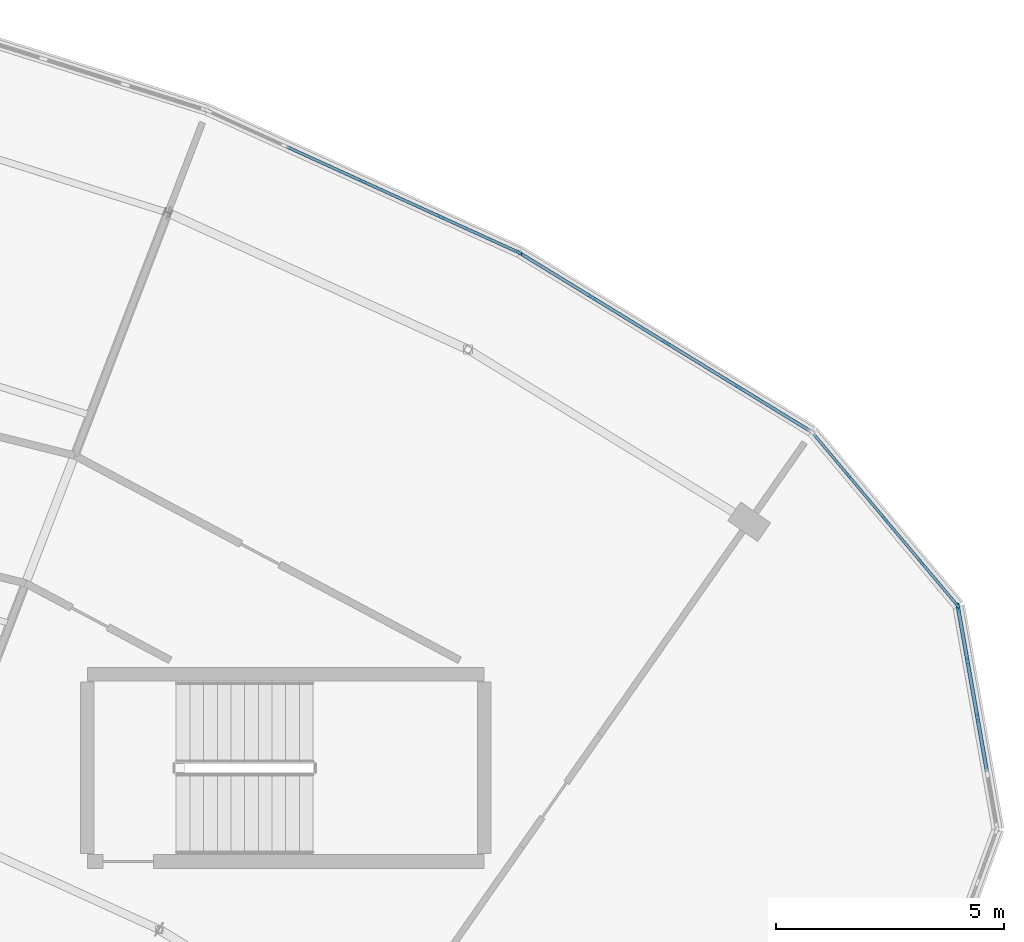
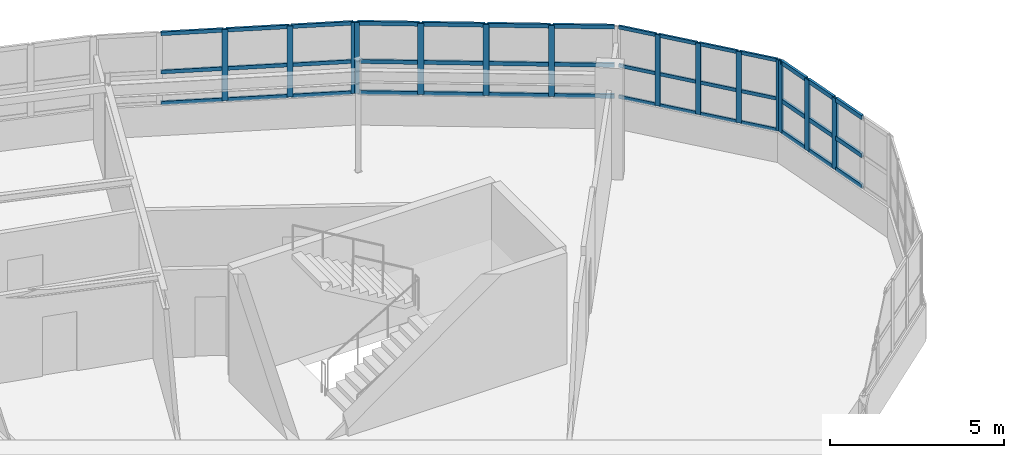
# One storey, part 35 of 60: 56 members, 4 elements without a shape of their own.
"""IFC4 building model written with IfcOpenShell, lengths in metres."""

from ifc_helpers import new_model, si_unit, direction, frame, origin, origin_2d, place, context, subcontext, project, spatial, rectangle, extrude, material, layer, layer_set, material_profile, profile_set, type_object, element, aggregate, save


model = new_model("IFC4")

# Units and contexts
model_context = context("Model", 3, precision=1e-05, world=origin(), true_north=direction((0.0, 1.0)))
body_context = subcontext(model_context, "Body", "Model", "MODEL_VIEW")
ifc_project = project(units=[si_unit("LENGTHUNIT", "METRE"), si_unit("AREAUNIT", "SQUARE_METRE"), si_unit("VOLUMEUNIT", "CUBIC_METRE"), si_unit("PLANEANGLEUNIT", "RADIAN"), si_unit("MASSUNIT", "GRAM", prefix="KILO")], contexts=[model_context])

# Site, building, storey
site_placement = place(None, origin())
site = spatial("IfcSite", under=ifc_project, at=site_placement, CompositionType="ELEMENT")
building_placement = place(site_placement, origin())
building = spatial("IfcBuilding", under=site, at=building_placement, Name="Tarnwether General Hospital", CompositionType="ELEMENT")
storey_placement = place(building_placement, frame((0.0, 0.0, 26.10009765625)))
storey = spatial("IfcBuildingStorey", under=building, at=storey_placement, Name="L06", CompositionType="ELEMENT", Elevation=26.10009765625)

# Curtain wall, members
ifc_material_1 = material(Name="Anodised aluminium", Category="aluminium")
ifc_layer_1 = layer(ifc_material_1, 0.159912109375)
ifc_layer_set_1 = layer_set([ifc_layer_1], Name="Anodised aluminium")
curtain_wall_type_1 = type_object("IfcCurtainWallType", Name="CW-04", PredefinedType="NOTDEFINED", material=ifc_layer_set_1)
curtain_wall_1_placement = place(storey_placement, origin())
curtain_wall_1 = element("IfcCurtainWall", 1, at=curtain_wall_1_placement, inside=storey, type_object=curtain_wall_type_1, Name="Curtain Wall CWG-L06-1273_1135-0117", PredefinedType="NOTDEFINED")
ifc_material_2 = material(Name="Anodised aluminium", Category="aluminium")
ifc_material_profile_1 = material_profile(ifc_material_2, rectangle(XDim=0.06005859375, YDim=0.159912109375, at=origin_2d()), Name="ALU-MUL-60x160")
ifc_profile_set_1 = profile_set([ifc_material_profile_1], Name="Anodised aluminium")
member_type_1 = type_object("IfcMemberType", Name="CW-ML1", PredefinedType="MULLION", material=ifc_profile_set_1)
member_1_placement = place(storey_placement, frame((128.130859375, 112.50830078125, 1.0498046875), z_axis=(0.0, 0.0, 1.0), x_axis=(0.765990176896, 0.64285227611, 0.0)))
member_1 = element("IfcMember", 2, at=member_1_placement, type_object=member_type_1, Name="CW-04 mullion 2", PredefinedType="MULLION", context=body_context, shape_type="SweptSolid", body=[
    extrude(rectangle(XDim=0.06005859375, YDim=0.159912109375, at=origin_2d()), origin(), (0.0, 0.0, 1.0), 2.4951171875),
])
member_2_placement = place(storey_placement, frame((128.929443359375, 111.556396484375, 1.0498046875), z_axis=(0.0, 0.0, 1.0), x_axis=(0.765990176896, 0.64285227611, 0.0)))
member_2 = element("IfcMember", 3, at=member_2_placement, type_object=member_type_1, Name="CW-04 mullion 3", PredefinedType="MULLION", context=body_context, shape_type="SweptSolid", body=[
    extrude(rectangle(XDim=0.06005859375, YDim=0.159912109375, at=origin_2d()), origin(), (0.0, 0.0, 1.0), 2.4951171875),
])
member_3_placement = place(storey_placement, frame((129.728271484375, 110.604736328125, 1.0498046875), z_axis=(0.0, 0.0, 1.0), x_axis=(0.765990176896, 0.64285227611, 0.0)))
member_3 = element("IfcMember", 4, at=member_3_placement, type_object=member_type_1, Name="CW-04 mullion 4", PredefinedType="MULLION", context=body_context, shape_type="SweptSolid", body=[
    extrude(rectangle(XDim=0.06005859375, YDim=0.159912109375, at=origin_2d()), origin(), (0.0, 0.0, 1.0), 2.4951171875),
])
member_4_placement = place(storey_placement, frame((130.5078125, 109.676025390625, 1.0498046875), z_axis=(0.0, 0.0, 1.0), x_axis=(0.765990176896, 0.64285227611, 0.0)))
member_4 = element("IfcMember", 5, at=member_4_placement, type_object=member_type_1, Name="CW-04 mullion 5", PredefinedType="MULLION", context=body_context, shape_type="SweptSolid", body=[
    extrude(rectangle(XDim=0.06005859375, YDim=0.159912109375, at=origin_2d()), origin(), (0.0, 0.0, 1.0), 2.4951171875),
])

ifc_material_3 = material(Name="Anodised aluminium", Category="aluminium")
ifc_layer_2 = layer(ifc_material_3, 0.179931640625)
ifc_layer_set_2 = layer_set([ifc_layer_2], Name="Anodised aluminium")
curtain_wall_type_2 = type_object("IfcCurtainWallType", Name="CW-06", PredefinedType="NOTDEFINED", material=ifc_layer_set_2)
curtain_wall_2_placement = place(storey_placement, origin())
curtain_wall_2 = element("IfcCurtainWall", 6, at=curtain_wall_2_placement, inside=storey, type_object=curtain_wall_type_2, Name="Curtain Wall CWG-L06-1209_1174-0118", PredefinedType="NOTDEFINED")
ifc_material_4 = material(Name="Anodised aluminium", Category="aluminium")
ifc_material_profile_2 = material_profile(ifc_material_4, rectangle(XDim=0.070068359375, YDim=0.179931640625, at=origin_2d()), Name="ALU-MUL-70x180")
ifc_profile_set_2 = profile_set([ifc_material_profile_2], Name="Anodised aluminium")
member_type_2 = type_object("IfcMemberType", Name="CW-ML2", PredefinedType="MULLION", material=ifc_profile_set_2)
member_5_placement = place(storey_placement, frame((120.94873046875, 117.371826171875, 1.0498046875), z_axis=(0.0, 0.0, 1.0), x_axis=(0.522509056361, 0.852633734977, 0.0)))
member_5 = element("IfcMember", 7, at=member_5_placement, type_object=member_type_2, Name="CW-06 mullion 1", PredefinedType="MULLION", context=body_context, shape_type="SweptSolid", body=[
    extrude(rectangle(XDim=0.070068359375, YDim=0.179931640625, at=origin_2d()), origin(), (0.0, 0.0, 1.0), 2.4951171875),
])
member_6_placement = place(storey_placement, frame((122.522216796875, 116.407470703125, 1.0498046875), z_axis=(0.0, 0.0, 1.0), x_axis=(0.522509056361, 0.852633734977, 0.0)))
member_6 = element("IfcMember", 8, at=member_6_placement, type_object=member_type_2, Name="CW-06 mullion 2", PredefinedType="MULLION", context=body_context, shape_type="SweptSolid", body=[
    extrude(rectangle(XDim=0.070068359375, YDim=0.179931640625, at=origin_2d()), origin(), (0.0, 0.0, 1.0), 2.4951171875),
])
member_7_placement = place(storey_placement, frame((124.12548828125, 115.425048828125, 1.0498046875), z_axis=(0.0, 0.0, 1.0), x_axis=(0.522509056361, 0.852633734977, 0.0)))
member_7 = element("IfcMember", 9, at=member_7_placement, type_object=member_type_2, Name="CW-06 mullion 3", PredefinedType="MULLION", context=body_context, shape_type="SweptSolid", body=[
    extrude(rectangle(XDim=0.070068359375, YDim=0.179931640625, at=origin_2d()), origin(), (0.0, 0.0, 1.0), 2.4951171875),
])
member_8_placement = place(storey_placement, frame((125.728759765625, 114.4423828125, 1.0498046875), z_axis=(0.0, 0.0, 1.0), x_axis=(0.522509056361, 0.852633734977, 0.0)))
member_8 = element("IfcMember", 10, at=member_8_placement, type_object=member_type_2, Name="CW-06 mullion 4", PredefinedType="MULLION", context=body_context, shape_type="SweptSolid", body=[
    extrude(rectangle(XDim=0.070068359375, YDim=0.179931640625, at=origin_2d()), origin(), (0.0, 0.0, 1.0), 2.4951171875),
])

curtain_wall_3_placement = place(storey_placement, origin())
curtain_wall_3 = element("IfcCurtainWall", 11, at=curtain_wall_3_placement, inside=storey, type_object=curtain_wall_type_2, Name="Curtain Wall CWG-L06-1141_1205-0119", PredefinedType="NOTDEFINED")
ifc_material_5 = material(Name="Anodised aluminium", Category="aluminium")
ifc_material_profile_3 = material_profile(ifc_material_5, rectangle(XDim=0.06494140625, YDim=0.169921875, at=origin_2d()), Name="ALU-MUL-65x170")
ifc_profile_set_3 = profile_set([ifc_material_profile_3], Name="Anodised aluminium")
member_type_3 = type_object("IfcMemberType", Name="CW-ML3", PredefinedType="MULLION", material=ifc_profile_set_3)
member_9_placement = place(storey_placement, frame((117.4970703125, 118.949462890625, 1.0498046875), z_axis=(0.0, 0.0, 1.0), x_axis=(0.414694289316, 0.909960793886, 0.0)))
member_9 = element("IfcMember", 12, at=member_9_placement, type_object=member_type_3, Name="CW-06 mullion 3", PredefinedType="MULLION", context=body_context, shape_type="SweptSolid", body=[
    extrude(rectangle(XDim=0.06494140625, YDim=0.169921875, at=origin_2d()), origin(), (0.0, 0.0, 1.0), 2.4951171875),
])
member_10_placement = place(storey_placement, frame((119.2080078125, 118.169677734375, 1.0498046875), z_axis=(0.0, 0.0, 1.0), x_axis=(0.414694289316, 0.909960793886, 0.0)))
member_10 = element("IfcMember", 13, at=member_10_placement, type_object=member_type_3, Name="CW-06 mullion 4", PredefinedType="MULLION", context=body_context, shape_type="SweptSolid", body=[
    extrude(rectangle(XDim=0.06494140625, YDim=0.169921875, at=origin_2d()), origin(), (0.0, 0.0, 1.0), 2.4951171875),
])
member_11_placement = place(storey_placement, frame((120.889404296875, 117.403564453125, 1.0498046875), z_axis=(0.0, 0.0, 1.0), x_axis=(0.414694289316, 0.909960793886, 0.0)))
member_11 = element("IfcMember", 14, at=member_11_placement, type_object=member_type_3, Name="CW-06 mullion 5", PredefinedType="MULLION", context=body_context, shape_type="SweptSolid", body=[
    extrude(rectangle(XDim=0.06494140625, YDim=0.169921875, at=origin_2d()), origin(), (0.0, 0.0, 1.0), 2.4951171875),
])

curtain_wall_4_placement = place(storey_placement, origin())
curtain_wall_4 = element("IfcCurtainWall", 15, at=curtain_wall_4_placement, inside=storey, type_object=curtain_wall_type_1, Name="Curtain Wall CWG-L06-1305_1097-0116", PredefinedType="NOTDEFINED")
ifc_material_6 = material(Name="Anodised aluminium", Category="aluminium")
ifc_material_profile_4 = material_profile(ifc_material_6, rectangle(XDim=0.080078125, YDim=0.199951171875, at=origin_2d()), Name="ALU-MUL-80x200")
ifc_profile_set_4 = profile_set([ifc_material_profile_4], Name="Anodised aluminium")
member_type_4 = type_object("IfcMemberType", Name="CW-ML4", PredefinedType="MULLION", material=ifc_profile_set_4)
member_12_placement = place(storey_placement, frame((130.533935546875, 109.613525390625, 1.0498046875), z_axis=(0.0, 0.0, 1.0), x_axis=(0.984840230098, 0.173463890135, 0.0)))
member_12 = element("IfcMember", 16, at=member_12_placement, type_object=member_type_4, Name="CW-04 mullion 1", PredefinedType="MULLION", context=body_context, shape_type="SweptSolid", body=[
    extrude(rectangle(XDim=0.080078125, YDim=0.199951171875, at=origin_2d()), origin(), (0.0, 0.0, 1.0), 2.4951171875),
])
member_13_placement = place(storey_placement, frame((130.742431640625, 108.429443359375, 1.0498046875), z_axis=(0.0, 0.0, 1.0), x_axis=(0.984840230098, 0.173463890135, 0.0)))
member_13 = element("IfcMember", 17, at=member_13_placement, type_object=member_type_4, Name="CW-04 mullion 2", PredefinedType="MULLION", context=body_context, shape_type="SweptSolid", body=[
    extrude(rectangle(XDim=0.080078125, YDim=0.199951171875, at=origin_2d()), origin(), (0.0, 0.0, 1.0), 2.4951171875),
])
member_14_placement = place(storey_placement, frame((130.9580078125, 107.2060546875, 1.0498046875), z_axis=(0.0, 0.0, 1.0), x_axis=(0.984840230098, 0.173463890135, 0.0)))
member_14 = element("IfcMember", 18, at=member_14_placement, type_object=member_type_4, Name="CW-04 mullion 3", PredefinedType="MULLION", context=body_context, shape_type="SweptSolid", body=[
    extrude(rectangle(XDim=0.080078125, YDim=0.199951171875, at=origin_2d()), origin(), (0.0, 0.0, 1.0), 2.4951171875),
])

# Member
ifc_material_7 = material(Name="Anodised aluminium", Category="aluminium")
ifc_material_profile_5 = material_profile(ifc_material_7, rectangle(XDim=0.06005859375, YDim=0.1201171875, at=origin_2d()), Name="ALU-TRN-60x120")
ifc_profile_set_5 = profile_set([ifc_material_profile_5], Name="Anodised aluminium")
member_type_5 = type_object("IfcMemberType", Name="CW-TR1", PredefinedType="USERDEFINED", material=ifc_profile_set_5)
member_15_placement = place(storey_placement, frame((127.37060546875, 113.4140625, 1.079833984375), z_axis=(0.642889003043, -0.765959352555, 0.0), x_axis=(0.765959352555, 0.642889003043, 0.0)))
member_15 = element("IfcMember", 19, at=member_15_placement, type_object=member_type_5, Name="CW-04 transom 1.1", ObjectType="TRANSOM", PredefinedType="USERDEFINED", context=body_context, shape_type="SweptSolid", body=[
    extrude(rectangle(XDim=0.06005859375, YDim=0.1201171875, at=origin_2d()), origin(), (0.0, 0.0, 1.0), 1.152587890625),
])

member_16_placement = place(storey_placement, frame((127.37060546875, 113.4140625, 2.172607421875), z_axis=(0.642889003043, -0.765959352555, 0.0), x_axis=(0.765959352555, 0.642889003043, 0.0)))
member_16 = element("IfcMember", 20, at=member_16_placement, type_object=member_type_5, Name="CW-04 transom 1.2", ObjectType="TRANSOM", PredefinedType="USERDEFINED", context=body_context, shape_type="SweptSolid", body=[
    extrude(rectangle(XDim=0.06005859375, YDim=0.1201171875, at=origin_2d()), origin(), (0.0, 0.0, 1.0), 1.152587890625),
])

member_17_placement = place(storey_placement, frame((127.37060546875, 113.4140625, 3.514892578125), z_axis=(0.642889003043, -0.765959352555, 0.0), x_axis=(0.765959352555, 0.642889003043, 0.0)))
member_17 = element("IfcMember", 21, at=member_17_placement, type_object=member_type_5, Name="CW-04 transom 1.3", ObjectType="TRANSOM", PredefinedType="USERDEFINED", context=body_context, shape_type="SweptSolid", body=[
    extrude(rectangle(XDim=0.06005859375, YDim=0.1201171875, at=origin_2d()), origin(), (0.0, 0.0, 1.0), 1.152587890625),
])

member_18_placement = place(storey_placement, frame((128.150146484375, 112.4853515625, 1.079833984375), z_axis=(0.64278038415, -0.766050506006, 0.0), x_axis=(0.766050506006, 0.64278038415, 0.0)))
member_18 = element("IfcMember", 22, at=member_18_placement, type_object=member_type_5, Name="CW-04 transom 2.1", ObjectType="TRANSOM", PredefinedType="USERDEFINED", context=body_context, shape_type="SweptSolid", body=[
    extrude(rectangle(XDim=0.06005859375, YDim=0.1201171875, at=origin_2d()), origin(), (0.0, 0.0, 1.0), 1.182373046875),
])

member_19_placement = place(storey_placement, frame((128.150146484375, 112.4853515625, 2.172607421875), z_axis=(0.64278038415, -0.766050506006, 0.0), x_axis=(0.766050506006, 0.64278038415, 0.0)))
member_19 = element("IfcMember", 23, at=member_19_placement, type_object=member_type_5, Name="CW-04 transom 2.2", ObjectType="TRANSOM", PredefinedType="USERDEFINED", context=body_context, shape_type="SweptSolid", body=[
    extrude(rectangle(XDim=0.06005859375, YDim=0.1201171875, at=origin_2d()), origin(), (0.0, 0.0, 1.0), 1.182373046875),
])

member_20_placement = place(storey_placement, frame((128.150146484375, 112.4853515625, 3.514892578125), z_axis=(0.64278038415, -0.766050506006, 0.0), x_axis=(0.766050506006, 0.64278038415, 0.0)))
member_20 = element("IfcMember", 24, at=member_20_placement, type_object=member_type_5, Name="CW-04 transom 2.3", ObjectType="TRANSOM", PredefinedType="USERDEFINED", context=body_context, shape_type="SweptSolid", body=[
    extrude(rectangle(XDim=0.06005859375, YDim=0.1201171875, at=origin_2d()), origin(), (0.0, 0.0, 1.0), 1.182373046875),
])

member_21_placement = place(storey_placement, frame((128.94873046875, 111.533447265625, 1.079833984375), z_axis=(0.642901530921, -0.765948837417, 0.0), x_axis=(0.765948837417, 0.642901530921, 0.0)))
member_21 = element("IfcMember", 25, at=member_21_placement, type_object=member_type_5, Name="CW-04 transom 3.1", ObjectType="TRANSOM", PredefinedType="USERDEFINED", context=body_context, shape_type="SweptSolid", body=[
    extrude(rectangle(XDim=0.06005859375, YDim=0.1201171875, at=origin_2d()), origin(), (0.0, 0.0, 1.0), 1.1826171875),
])

member_22_placement = place(storey_placement, frame((128.94873046875, 111.533447265625, 2.172607421875), z_axis=(0.642901530921, -0.765948837417, 0.0), x_axis=(0.765948837417, 0.642901530921, 0.0)))
member_22 = element("IfcMember", 26, at=member_22_placement, type_object=member_type_5, Name="CW-04 transom 3.2", ObjectType="TRANSOM", PredefinedType="USERDEFINED", context=body_context, shape_type="SweptSolid", body=[
    extrude(rectangle(XDim=0.06005859375, YDim=0.1201171875, at=origin_2d()), origin(), (0.0, 0.0, 1.0), 1.1826171875),
])

member_23_placement = place(storey_placement, frame((128.94873046875, 111.533447265625, 3.514892578125), z_axis=(0.642901530921, -0.765948837417, 0.0), x_axis=(0.765948837417, 0.642901530921, 0.0)))
member_23 = element("IfcMember", 27, at=member_23_placement, type_object=member_type_5, Name="CW-04 transom 3.3", ObjectType="TRANSOM", PredefinedType="USERDEFINED", context=body_context, shape_type="SweptSolid", body=[
    extrude(rectangle(XDim=0.06005859375, YDim=0.1201171875, at=origin_2d()), origin(), (0.0, 0.0, 1.0), 1.1826171875),
])

member_24_placement = place(storey_placement, frame((129.74755859375, 110.581787109375, 1.079833984375), z_axis=(0.642889003043, -0.765959352555, 0.0), x_axis=(0.765959352555, 0.642889003043, 0.0)))
member_24 = element("IfcMember", 28, at=member_24_placement, type_object=member_type_5, Name="CW-04 transom 4.1", ObjectType="TRANSOM", PredefinedType="USERDEFINED", context=body_context, shape_type="SweptSolid", body=[
    extrude(rectangle(XDim=0.06005859375, YDim=0.1201171875, at=origin_2d()), origin(), (0.0, 0.0, 1.0), 1.152587890625),
])

member_25_placement = place(storey_placement, frame((129.74755859375, 110.581787109375, 2.172607421875), z_axis=(0.642889003043, -0.765959352555, 0.0), x_axis=(0.765959352555, 0.642889003043, 0.0)))
member_25 = element("IfcMember", 29, at=member_25_placement, type_object=member_type_5, Name="CW-04 transom 4.2", ObjectType="TRANSOM", PredefinedType="USERDEFINED", context=body_context, shape_type="SweptSolid", body=[
    extrude(rectangle(XDim=0.06005859375, YDim=0.1201171875, at=origin_2d()), origin(), (0.0, 0.0, 1.0), 1.152587890625),
])

member_26_placement = place(storey_placement, frame((129.74755859375, 110.581787109375, 3.514892578125), z_axis=(0.642889003043, -0.765959352555, 0.0), x_axis=(0.765959352555, 0.642889003043, 0.0)))
member_26 = element("IfcMember", 30, at=member_26_placement, type_object=member_type_5, Name="CW-04 transom 4.3", ObjectType="TRANSOM", PredefinedType="USERDEFINED", context=body_context, shape_type="SweptSolid", body=[
    extrude(rectangle(XDim=0.06005859375, YDim=0.1201171875, at=origin_2d()), origin(), (0.0, 0.0, 1.0), 1.152587890625),
])

aggregate(curtain_wall_1, [member_1, member_2, member_3, member_4, member_15, member_16, member_17, member_18, member_19, member_20, member_21, member_22, member_23, member_24, member_25, member_26])

ifc_material_8 = material(Name="Anodised aluminium", Category="aluminium")
ifc_material_profile_6 = material_profile(ifc_material_8, rectangle(XDim=0.070068359375, YDim=0.139892578125, at=origin_2d()), Name="ALU-TRN-70x140")
ifc_profile_set_6 = profile_set([ifc_material_profile_6], Name="Anodised aluminium")
member_type_6 = type_object("IfcMemberType", Name="CW-TR2", PredefinedType="USERDEFINED", material=ifc_profile_set_6)
member_27_placement = place(storey_placement, frame((120.978759765625, 117.353515625, 1.0849609375), z_axis=(0.852601252411, -0.522562057929, 0.0), x_axis=(0.522562057929, 0.852601252411, 0.0)))
member_27 = element("IfcMember", 31, at=member_27_placement, type_object=member_type_6, Name="CW-06 transom 1.1", ObjectType="TRANSOM", PredefinedType="USERDEFINED", context=body_context, shape_type="SweptSolid", body=[
    extrude(rectangle(XDim=0.070068359375, YDim=0.139892578125, at=origin_2d()), origin(), (0.0, 0.0, 1.0), 1.775390625),
])

member_28_placement = place(storey_placement, frame((120.978759765625, 117.353515625, 2.172607421875), z_axis=(0.852601252411, -0.522562057929, 0.0), x_axis=(0.522562057929, 0.852601252411, 0.0)))
member_28 = element("IfcMember", 32, at=member_28_placement, type_object=member_type_6, Name="CW-06 transom 1.2", ObjectType="TRANSOM", PredefinedType="USERDEFINED", context=body_context, shape_type="SweptSolid", body=[
    extrude(rectangle(XDim=0.070068359375, YDim=0.139892578125, at=origin_2d()), origin(), (0.0, 0.0, 1.0), 1.775390625),
])

member_29_placement = place(storey_placement, frame((120.978759765625, 117.353515625, 3.510009765625), z_axis=(0.852601252411, -0.522562057929, 0.0), x_axis=(0.522562057929, 0.852601252411, 0.0)))
member_29 = element("IfcMember", 33, at=member_29_placement, type_object=member_type_6, Name="CW-06 transom 1.3", ObjectType="TRANSOM", PredefinedType="USERDEFINED", context=body_context, shape_type="SweptSolid", body=[
    extrude(rectangle(XDim=0.070068359375, YDim=0.139892578125, at=origin_2d()), origin(), (0.0, 0.0, 1.0), 1.775390625),
])

member_30_placement = place(storey_placement, frame((122.552001953125, 116.38916015625, 1.0849609375), z_axis=(0.852684582016, -0.522426074763, 0.0), x_axis=(0.522426074763, 0.852684582016, 0.0)))
member_30 = element("IfcMember", 34, at=member_30_placement, type_object=member_type_6, Name="CW-06 transom 2.1", ObjectType="TRANSOM", PredefinedType="USERDEFINED", context=body_context, shape_type="SweptSolid", body=[
    extrude(rectangle(XDim=0.070068359375, YDim=0.139892578125, at=origin_2d()), origin(), (0.0, 0.0, 1.0), 1.810302734375),
])

member_31_placement = place(storey_placement, frame((122.552001953125, 116.38916015625, 2.172607421875), z_axis=(0.852684582016, -0.522426074763, 0.0), x_axis=(0.522426074763, 0.852684582016, 0.0)))
member_31 = element("IfcMember", 35, at=member_31_placement, type_object=member_type_6, Name="CW-06 transom 2.2", ObjectType="TRANSOM", PredefinedType="USERDEFINED", context=body_context, shape_type="SweptSolid", body=[
    extrude(rectangle(XDim=0.070068359375, YDim=0.139892578125, at=origin_2d()), origin(), (0.0, 0.0, 1.0), 1.810302734375),
])

member_32_placement = place(storey_placement, frame((122.552001953125, 116.38916015625, 3.510009765625), z_axis=(0.852684582016, -0.522426074763, 0.0), x_axis=(0.522426074763, 0.852684582016, 0.0)))
member_32 = element("IfcMember", 36, at=member_32_placement, type_object=member_type_6, Name="CW-06 transom 2.3", ObjectType="TRANSOM", PredefinedType="USERDEFINED", context=body_context, shape_type="SweptSolid", body=[
    extrude(rectangle(XDim=0.070068359375, YDim=0.139892578125, at=origin_2d()), origin(), (0.0, 0.0, 1.0), 1.810302734375),
])

member_33_placement = place(storey_placement, frame((124.1552734375, 115.40673828125, 1.0849609375), z_axis=(0.852624507727, -0.522524113149, 0.0), x_axis=(0.522524113149, 0.852624507727, 0.0)))
member_33 = element("IfcMember", 37, at=member_33_placement, type_object=member_type_6, Name="CW-06 transom 3.1", ObjectType="TRANSOM", PredefinedType="USERDEFINED", context=body_context, shape_type="SweptSolid", body=[
    extrude(rectangle(XDim=0.070068359375, YDim=0.139892578125, at=origin_2d()), origin(), (0.0, 0.0, 1.0), 1.810546875),
])

member_34_placement = place(storey_placement, frame((124.1552734375, 115.40673828125, 2.172607421875), z_axis=(0.852624507727, -0.522524113149, 0.0), x_axis=(0.522524113149, 0.852624507727, 0.0)))
member_34 = element("IfcMember", 38, at=member_34_placement, type_object=member_type_6, Name="CW-06 transom 3.2", ObjectType="TRANSOM", PredefinedType="USERDEFINED", context=body_context, shape_type="SweptSolid", body=[
    extrude(rectangle(XDim=0.070068359375, YDim=0.139892578125, at=origin_2d()), origin(), (0.0, 0.0, 1.0), 1.810546875),
])

member_35_placement = place(storey_placement, frame((124.1552734375, 115.40673828125, 3.510009765625), z_axis=(0.852624507727, -0.522524113149, 0.0), x_axis=(0.522524113149, 0.852624507727, 0.0)))
member_35 = element("IfcMember", 39, at=member_35_placement, type_object=member_type_6, Name="CW-06 transom 3.3", ObjectType="TRANSOM", PredefinedType="USERDEFINED", context=body_context, shape_type="SweptSolid", body=[
    extrude(rectangle(XDim=0.070068359375, YDim=0.139892578125, at=origin_2d()), origin(), (0.0, 0.0, 1.0), 1.810546875),
])

member_36_placement = place(storey_placement, frame((125.758544921875, 114.42431640625, 1.0849609375), z_axis=(0.852601252411, -0.522562057929, 0.0), x_axis=(0.522562057929, 0.852601252411, 0.0)))
member_36 = element("IfcMember", 40, at=member_36_placement, type_object=member_type_6, Name="CW-06 transom 4.1", ObjectType="TRANSOM", PredefinedType="USERDEFINED", context=body_context, shape_type="SweptSolid", body=[
    extrude(rectangle(XDim=0.070068359375, YDim=0.139892578125, at=origin_2d()), origin(), (0.0, 0.0, 1.0), 1.775390625),
])

member_37_placement = place(storey_placement, frame((125.758544921875, 114.42431640625, 2.172607421875), z_axis=(0.852601252411, -0.522562057929, 0.0), x_axis=(0.522562057929, 0.852601252411, 0.0)))
member_37 = element("IfcMember", 41, at=member_37_placement, type_object=member_type_6, Name="CW-06 transom 4.2", ObjectType="TRANSOM", PredefinedType="USERDEFINED", context=body_context, shape_type="SweptSolid", body=[
    extrude(rectangle(XDim=0.070068359375, YDim=0.139892578125, at=origin_2d()), origin(), (0.0, 0.0, 1.0), 1.775390625),
])

member_38_placement = place(storey_placement, frame((125.758544921875, 114.42431640625, 3.510009765625), z_axis=(0.852601252411, -0.522562057929, 0.0), x_axis=(0.522562057929, 0.852601252411, 0.0)))
member_38 = element("IfcMember", 42, at=member_38_placement, type_object=member_type_6, Name="CW-06 transom 4.3", ObjectType="TRANSOM", PredefinedType="USERDEFINED", context=body_context, shape_type="SweptSolid", body=[
    extrude(rectangle(XDim=0.070068359375, YDim=0.139892578125, at=origin_2d()), origin(), (0.0, 0.0, 1.0), 1.775390625),
])

aggregate(curtain_wall_2, [member_5, member_6, member_7, member_8, member_27, member_28, member_29, member_30, member_31, member_32, member_33, member_34, member_35, member_36, member_37, member_38])

ifc_material_9 = material(Name="Anodised aluminium", Category="aluminium")
ifc_material_profile_7 = material_profile(ifc_material_9, rectangle(XDim=0.06494140625, YDim=0.1298828125, at=origin_2d()), Name="ALU-TRN-65x130")
ifc_profile_set_7 = profile_set([ifc_material_profile_7], Name="Anodised aluminium")
member_type_7 = type_object("IfcMemberType", Name="CW-TR3", PredefinedType="USERDEFINED", material=ifc_profile_set_7)
member_39_placement = place(storey_placement, frame((115.815673828125, 119.7158203125, 1.08251953125), z_axis=(0.909933044467, -0.414755174274, 0.0), x_axis=(0.414755174274, 0.909933044467, 0.0)))
member_39 = element("IfcMember", 43, at=member_39_placement, type_object=member_type_7, Name="CW-06 transom 2.1", ObjectType="TRANSOM", PredefinedType="USERDEFINED", context=body_context, shape_type="SweptSolid", body=[
    extrude(rectangle(XDim=0.06494140625, YDim=0.1298828125, at=origin_2d()), origin(), (0.0, 0.0, 1.0), 1.8154296875),
])

member_40_placement = place(storey_placement, frame((115.815673828125, 119.7158203125, 2.172607421875), z_axis=(0.909933044467, -0.414755174274, 0.0), x_axis=(0.414755174274, 0.909933044467, 0.0)))
member_40 = element("IfcMember", 44, at=member_40_placement, type_object=member_type_7, Name="CW-06 transom 2.2", ObjectType="TRANSOM", PredefinedType="USERDEFINED", context=body_context, shape_type="SweptSolid", body=[
    extrude(rectangle(XDim=0.06494140625, YDim=0.1298828125, at=origin_2d()), origin(), (0.0, 0.0, 1.0), 1.8154296875),
])

member_41_placement = place(storey_placement, frame((115.815673828125, 119.7158203125, 3.512451171875), z_axis=(0.909933044467, -0.414755174274, 0.0), x_axis=(0.414755174274, 0.909933044467, 0.0)))
member_41 = element("IfcMember", 45, at=member_41_placement, type_object=member_type_7, Name="CW-06 transom 2.3", ObjectType="TRANSOM", PredefinedType="USERDEFINED", context=body_context, shape_type="SweptSolid", body=[
    extrude(rectangle(XDim=0.06494140625, YDim=0.1298828125, at=origin_2d()), origin(), (0.0, 0.0, 1.0), 1.8154296875),
])

member_42_placement = place(storey_placement, frame((117.526611328125, 118.93603515625, 1.08251953125), z_axis=(0.909983795468, -0.414643813394, 0.0), x_axis=(0.414643813394, 0.909983795468, 0.0)))
member_42 = element("IfcMember", 46, at=member_42_placement, type_object=member_type_7, Name="CW-06 transom 3.1", ObjectType="TRANSOM", PredefinedType="USERDEFINED", context=body_context, shape_type="SweptSolid", body=[
    extrude(rectangle(XDim=0.06494140625, YDim=0.1298828125, at=origin_2d()), origin(), (0.0, 0.0, 1.0), 1.815185546875),
])

member_43_placement = place(storey_placement, frame((117.526611328125, 118.93603515625, 2.172607421875), z_axis=(0.909983795468, -0.414643813394, 0.0), x_axis=(0.414643813394, 0.909983795468, 0.0)))
member_43 = element("IfcMember", 47, at=member_43_placement, type_object=member_type_7, Name="CW-06 transom 3.2", ObjectType="TRANSOM", PredefinedType="USERDEFINED", context=body_context, shape_type="SweptSolid", body=[
    extrude(rectangle(XDim=0.06494140625, YDim=0.1298828125, at=origin_2d()), origin(), (0.0, 0.0, 1.0), 1.815185546875),
])

member_44_placement = place(storey_placement, frame((117.526611328125, 118.93603515625, 3.512451171875), z_axis=(0.909983795468, -0.414643813394, 0.0), x_axis=(0.414643813394, 0.909983795468, 0.0)))
member_44 = element("IfcMember", 48, at=member_44_placement, type_object=member_type_7, Name="CW-06 transom 3.3", ObjectType="TRANSOM", PredefinedType="USERDEFINED", context=body_context, shape_type="SweptSolid", body=[
    extrude(rectangle(XDim=0.06494140625, YDim=0.1298828125, at=origin_2d()), origin(), (0.0, 0.0, 1.0), 1.815185546875),
])

member_45_placement = place(storey_placement, frame((119.237548828125, 118.15625, 1.08251953125), z_axis=(0.909976822928, -0.414659115098, 0.0), x_axis=(0.414659115098, 0.909976822928, 0.0)))
member_45 = element("IfcMember", 49, at=member_45_placement, type_object=member_type_7, Name="CW-06 transom 4.1", ObjectType="TRANSOM", PredefinedType="USERDEFINED", context=body_context, shape_type="SweptSolid", body=[
    extrude(rectangle(XDim=0.06494140625, YDim=0.1298828125, at=origin_2d()), origin(), (0.0, 0.0, 1.0), 1.78271484375),
])

member_46_placement = place(storey_placement, frame((119.237548828125, 118.15625, 2.172607421875), z_axis=(0.909976822928, -0.414659115098, 0.0), x_axis=(0.414659115098, 0.909976822928, 0.0)))
member_46 = element("IfcMember", 50, at=member_46_placement, type_object=member_type_7, Name="CW-06 transom 4.2", ObjectType="TRANSOM", PredefinedType="USERDEFINED", context=body_context, shape_type="SweptSolid", body=[
    extrude(rectangle(XDim=0.06494140625, YDim=0.1298828125, at=origin_2d()), origin(), (0.0, 0.0, 1.0), 1.78271484375),
])

member_47_placement = place(storey_placement, frame((119.237548828125, 118.15625, 3.512451171875), z_axis=(0.909976822928, -0.414659115098, 0.0), x_axis=(0.414659115098, 0.909976822928, 0.0)))
member_47 = element("IfcMember", 51, at=member_47_placement, type_object=member_type_7, Name="CW-06 transom 4.3", ObjectType="TRANSOM", PredefinedType="USERDEFINED", context=body_context, shape_type="SweptSolid", body=[
    extrude(rectangle(XDim=0.06494140625, YDim=0.1298828125, at=origin_2d()), origin(), (0.0, 0.0, 1.0), 1.78271484375),
])

aggregate(curtain_wall_3, [member_9, member_10, member_11, member_39, member_40, member_41, member_42, member_43, member_44, member_45, member_46, member_47])

ifc_material_10 = material(Name="Anodised aluminium", Category="aluminium")
ifc_material_profile_8 = material_profile(ifc_material_10, rectangle(XDim=0.080078125, YDim=0.14990234375, at=origin_2d()), Name="ALU-TRN-80x150")
ifc_profile_set_8 = profile_set([ifc_material_profile_8], Name="Anodised aluminium")
member_type_8 = type_object("IfcMemberType", Name="CW-TR4", PredefinedType="USERDEFINED", material=ifc_profile_set_8)
member_48_placement = place(storey_placement, frame((130.540771484375, 109.57421875, 1.08984375), z_axis=(0.173599178383, -0.984816391651, 0.0), x_axis=(0.984816391651, 0.173599178383, 0.0)))
member_48 = element("IfcMember", 52, at=member_48_placement, type_object=member_type_8, Name="CW-04 transom 1.1", ObjectType="TRANSOM", PredefinedType="USERDEFINED", context=body_context, shape_type="SweptSolid", body=[
    extrude(rectangle(XDim=0.080078125, YDim=0.14990234375, at=origin_2d()), origin(), (0.0, 0.0, 1.0), 1.122314453125),
])

member_49_placement = place(storey_placement, frame((130.540771484375, 109.57421875, 2.172607421875), z_axis=(0.173599178383, -0.984816391651, 0.0), x_axis=(0.984816391651, 0.173599178383, 0.0)))
member_49 = element("IfcMember", 53, at=member_49_placement, type_object=member_type_8, Name="CW-04 transom 1.2", ObjectType="TRANSOM", PredefinedType="USERDEFINED", context=body_context, shape_type="SweptSolid", body=[
    extrude(rectangle(XDim=0.080078125, YDim=0.14990234375, at=origin_2d()), origin(), (0.0, 0.0, 1.0), 1.122314453125),
])

member_50_placement = place(storey_placement, frame((130.540771484375, 109.57421875, 3.5048828125), z_axis=(0.173599178383, -0.984816391651, 0.0), x_axis=(0.984816391651, 0.173599178383, 0.0)))
member_50 = element("IfcMember", 54, at=member_50_placement, type_object=member_type_8, Name="CW-04 transom 1.3", ObjectType="TRANSOM", PredefinedType="USERDEFINED", context=body_context, shape_type="SweptSolid", body=[
    extrude(rectangle(XDim=0.080078125, YDim=0.14990234375, at=origin_2d()), origin(), (0.0, 0.0, 1.0), 1.122314453125),
])

member_51_placement = place(storey_placement, frame((130.74951171875, 108.39013671875, 1.08984375), z_axis=(0.173485784706, -0.984836373468, 0.0), x_axis=(0.984836373468, 0.173485784706, 0.0)))
member_51 = element("IfcMember", 55, at=member_51_placement, type_object=member_type_8, Name="CW-04 transom 2.1", ObjectType="TRANSOM", PredefinedType="USERDEFINED", context=body_context, shape_type="SweptSolid", body=[
    extrude(rectangle(XDim=0.080078125, YDim=0.14990234375, at=origin_2d()), origin(), (0.0, 0.0, 1.0), 1.162353515625),
])

member_52_placement = place(storey_placement, frame((130.74951171875, 108.39013671875, 2.172607421875), z_axis=(0.173485784706, -0.984836373468, 0.0), x_axis=(0.984836373468, 0.173485784706, 0.0)))
member_52 = element("IfcMember", 56, at=member_52_placement, type_object=member_type_8, Name="CW-04 transom 2.2", ObjectType="TRANSOM", PredefinedType="USERDEFINED", context=body_context, shape_type="SweptSolid", body=[
    extrude(rectangle(XDim=0.080078125, YDim=0.14990234375, at=origin_2d()), origin(), (0.0, 0.0, 1.0), 1.162353515625),
])

member_53_placement = place(storey_placement, frame((130.74951171875, 108.39013671875, 3.5048828125), z_axis=(0.173485784706, -0.984836373468, 0.0), x_axis=(0.984836373468, 0.173485784706, 0.0)))
member_53 = element("IfcMember", 57, at=member_53_placement, type_object=member_type_8, Name="CW-04 transom 2.3", ObjectType="TRANSOM", PredefinedType="USERDEFINED", context=body_context, shape_type="SweptSolid", body=[
    extrude(rectangle(XDim=0.080078125, YDim=0.14990234375, at=origin_2d()), origin(), (0.0, 0.0, 1.0), 1.162353515625),
])

member_54_placement = place(storey_placement, frame((130.96484375, 107.16650390625, 1.08984375), z_axis=(0.173521676921, -0.98483005013, 0.0), x_axis=(0.98483005013, 0.173521676921, 0.0)))
member_54 = element("IfcMember", 58, at=member_54_placement, type_object=member_type_8, Name="CW-04 transom 3.1", ObjectType="TRANSOM", PredefinedType="USERDEFINED", context=body_context, shape_type="SweptSolid", body=[
    extrude(rectangle(XDim=0.080078125, YDim=0.14990234375, at=origin_2d()), origin(), (0.0, 0.0, 1.0), 1.162109375),
])

member_55_placement = place(storey_placement, frame((130.96484375, 107.16650390625, 2.172607421875), z_axis=(0.173521676921, -0.98483005013, 0.0), x_axis=(0.98483005013, 0.173521676921, 0.0)))
member_55 = element("IfcMember", 59, at=member_55_placement, type_object=member_type_8, Name="CW-04 transom 3.2", ObjectType="TRANSOM", PredefinedType="USERDEFINED", context=body_context, shape_type="SweptSolid", body=[
    extrude(rectangle(XDim=0.080078125, YDim=0.14990234375, at=origin_2d()), origin(), (0.0, 0.0, 1.0), 1.162109375),
])

member_56_placement = place(storey_placement, frame((130.96484375, 107.16650390625, 3.5048828125), z_axis=(0.173521676921, -0.98483005013, 0.0), x_axis=(0.98483005013, 0.173521676921, 0.0)))
member_56 = element("IfcMember", 60, at=member_56_placement, type_object=member_type_8, Name="CW-04 transom 3.3", ObjectType="TRANSOM", PredefinedType="USERDEFINED", context=body_context, shape_type="SweptSolid", body=[
    extrude(rectangle(XDim=0.080078125, YDim=0.14990234375, at=origin_2d()), origin(), (0.0, 0.0, 1.0), 1.162109375),
])

aggregate(curtain_wall_4, [member_12, member_13, member_14, member_48, member_49, member_50, member_51, member_52, member_53, member_54, member_55, member_56])

save(model, "model.ifc")
